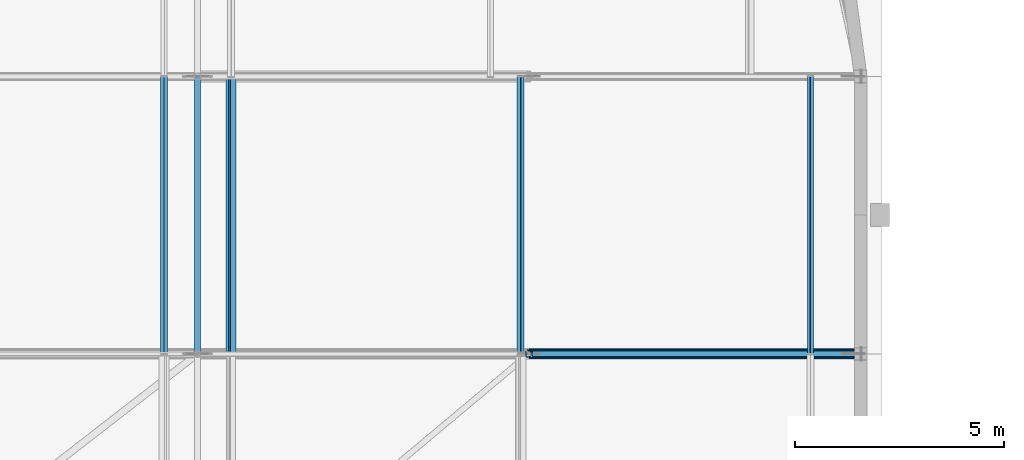
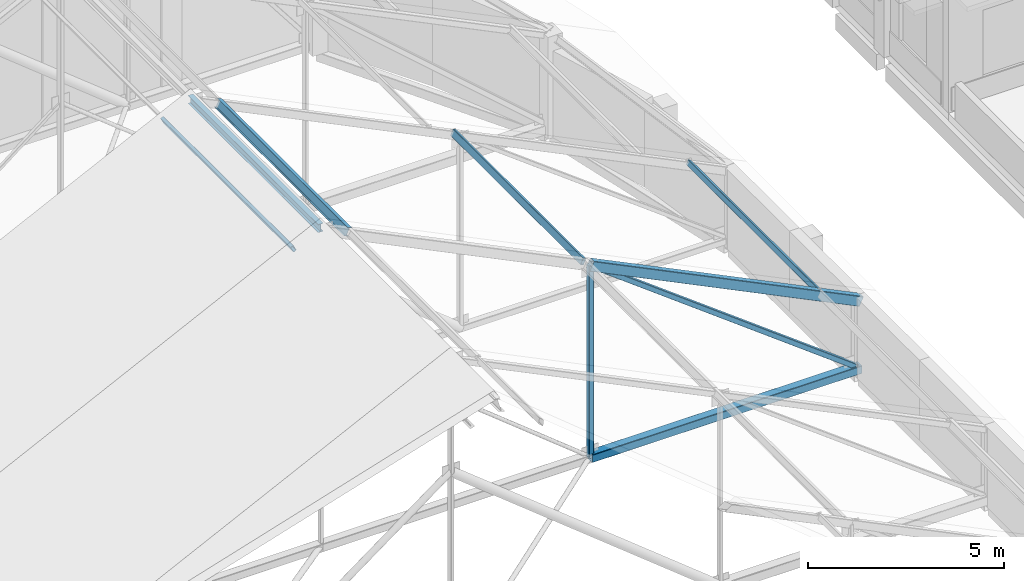
# One storey, part 19 of 78: 9 members.
"""IFC4 building model written with IfcOpenShell, lengths in metres."""

from ifc_helpers import new_model, si_unit, direction, frame, origin, origin_2d, place, context, subcontext, project, spatial, hollow_rectangle, i_section, extrude, material, material_profile, profile_set, type_object, element, save


model = new_model("IFC4")

# Units and contexts
model_context = context("Model", 3, precision=1e-05, world=origin(), true_north=direction((0.0, 1.0)))
body_context = subcontext(model_context, "Body", "Model", "MODEL_VIEW")
ifc_project = project(units=[si_unit("LENGTHUNIT", "METRE"), si_unit("AREAUNIT", "SQUARE_METRE"), si_unit("VOLUMEUNIT", "CUBIC_METRE"), si_unit("PLANEANGLEUNIT", "RADIAN"), si_unit("MASSUNIT", "GRAM", prefix="KILO")], contexts=[model_context])

# Site, building, storey
site_placement = place(None, origin())
site = spatial("IfcSite", under=ifc_project, at=site_placement, CompositionType="ELEMENT")
building_placement = place(site_placement, origin())
building = spatial("IfcBuilding", under=site, at=building_placement, Name="Kelanivale Promenade Academy", CompositionType="ELEMENT")
storey_placement = place(building_placement, frame((0.0, 0.0, 16.199951171875)))
storey = spatial("IfcBuildingStorey", under=building, at=storey_placement, Name="L04", CompositionType="ELEMENT", Elevation=16.199951171875)

# Members
ifc_material = material(Name="Steel S355", Category="steel")
ifc_material_profile_1 = material_profile(ifc_material, i_section(OverallWidth=0.14599609375, OverallDepth=0.25146484375, WebThickness=0.006103515625, FlangeThickness=0.008544921875, FilletRadius=0.007568359375, at=origin_2d()), Name="UB 254x146x31")
ifc_profile_set_1 = profile_set([ifc_material_profile_1], Name="Steel S355")
member_type_1 = type_object("IfcMemberType", Name="PR-02 UB 254x146x31", PredefinedType="PURLIN", material=ifc_profile_set_1)
for number, where, z_axis, x_axis, name in (
    (1, (19.60009765625, 59.513916015625, 10.087158203125), (0.0, 1.0, 0.0), (-1.0, 0.0, 0.0), "Sports Hall Crescent Pavilion roof tie purlin PR-02"),
    (2, (20.39990234375, 59.513916015625, 9.68603515625), (0.0, 1.0, 0.0), (-0.898564392509, 0.0, 0.438841694139), "Sports Hall Crescent Pavilion roof purlin PR-02"),
):
    element("IfcMember", number, at=place(storey_placement, frame(where, z_axis=z_axis, x_axis=x_axis)), inside=storey, type_object=member_type_1, Name=name, PredefinedType="PURLIN", context=body_context, shape_type="SweptSolid", body=[
        extrude(i_section(OverallWidth=0.14599609375, OverallDepth=0.25146484375, WebThickness=0.006103515625, FlangeThickness=0.008544921875, FilletRadius=0.007568359375, at=origin_2d()), origin(), (0.0, 0.0, 1.0), 6.629150390625),
    ])
ifc_material_profile_2 = material_profile(ifc_material, hollow_rectangle(XDim=0.10009765625, YDim=0.199951171875, WallThickness=0.008056640625, InnerFilletRadius=0.008056640625, OuterFilletRadius=0.01611328125, at=origin_2d()), Name="RHS 200x100x8.0")
ifc_profile_set_2 = profile_set([ifc_material_profile_2], Name="Steel S355")
member_type_2 = type_object("IfcMemberType", Name="PR-03 RHS 200x100x8.0", PredefinedType="PURLIN", material=ifc_profile_set_2)
for number, where, z_axis, x_axis, name in (
    (3, (18.800048828125, 59.513916015625, 9.715087890625), (0.0, 1.0, 0.0), (-0.898564392509, 0.0, -0.438841694139), "Sports Hall Crescent Pavilion roof purlin PR-03"),
    (4, (27.324951171875, 59.513916015625, 6.3330078125), (0.0, 1.0, 0.0), (-0.898564392509, 0.0, 0.438841694139), "Sports Hall Crescent Pavilion roof purlin PR-03"),
):
    element("IfcMember", number, at=place(storey_placement, frame(where, z_axis=z_axis, x_axis=x_axis)), inside=storey, type_object=member_type_2, Name=name, PredefinedType="PURLIN", context=body_context, shape_type="SweptSolid", body=[
        extrude(hollow_rectangle(XDim=0.10009765625, YDim=0.199951171875, WallThickness=0.008056640625, InnerFilletRadius=0.008056640625, OuterFilletRadius=0.01611328125, at=origin_2d()), origin(), (0.0, 0.0, 1.0), 6.629150390625),
    ])
ifc_material_profile_3 = material_profile(ifc_material, hollow_rectangle(XDim=0.10009765625, YDim=0.14990234375, WallThickness=0.008056640625, InnerFilletRadius=0.008056640625, OuterFilletRadius=0.01611328125, at=origin_2d()), Name="RHS 150x100x8.0")
ifc_profile_set_3 = profile_set([ifc_material_profile_3], Name="Steel S355")
member_type_3 = type_object("IfcMemberType", Name="PR-04 RHS 150x100x8.0", PredefinedType="PURLIN", material=ifc_profile_set_3)
member_1_placement = place(storey_placement, frame((34.25, 59.513916015625, 2.97900390625), z_axis=(0.0, 1.0, 0.0), x_axis=(-0.898564392509, 0.0, 0.438841694139)))
element("IfcMember", 5, at=member_1_placement, inside=storey, type_object=member_type_3, Name="Sports Hall Crescent Pavilion roof purlin PR-04", PredefinedType="PURLIN", context=body_context, shape_type="SweptSolid", body=[
    extrude(hollow_rectangle(XDim=0.10009765625, YDim=0.14990234375, WallThickness=0.008056640625, InnerFilletRadius=0.008056640625, OuterFilletRadius=0.01611328125, at=origin_2d()), origin(), (0.0, 0.0, 1.0), 6.629150390625),
])
ifc_material_profile_4 = material_profile(ifc_material, hollow_rectangle(XDim=0.25, YDim=0.25, WallThickness=0.012451171875, InnerFilletRadius=0.012451171875, OuterFilletRadius=0.02490234375, at=origin_2d()), Name="SHS 250x250x12.5")
ifc_profile_set_4 = profile_set([ifc_material_profile_4], Name="Steel S355")
member_type_4 = type_object("IfcMemberType", Name="TC-02 SHS 250x250x12.5", PredefinedType="CHORD", material=ifc_profile_set_4)
member_2_placement = place(storey_placement, frame((27.52490234375, 59.513916015625, 0.199951171875), z_axis=(1.0, 0.0, 0.0), x_axis=(0.0, 1.0, 0.0)))
element("IfcMember", 6, at=member_2_placement, inside=storey, type_object=member_type_4, Name="ROOF TRUSS SH-TR5 bottom chord 4", PredefinedType="CHORD", context=body_context, shape_type="SweptSolid", body=[
    extrude(hollow_rectangle(XDim=0.25, YDim=0.25, WallThickness=0.012451171875, InnerFilletRadius=0.012451171875, OuterFilletRadius=0.02490234375, at=origin_2d()), origin(), (0.0, 0.0, 1.0), 7.925048828125),
])
ifc_material_profile_5 = material_profile(ifc_material, hollow_rectangle(XDim=0.199951171875, YDim=0.300048828125, WallThickness=0.012451171875, InnerFilletRadius=0.012451171875, OuterFilletRadius=0.02490234375, at=origin_2d()), Name="RHS 300x200x12.5")
ifc_profile_set_5 = profile_set([ifc_material_profile_5], Name="Steel S355")
member_type_5 = type_object("IfcMemberType", Name="TC-05 RHS 300x200x12.5", PredefinedType="CHORD", material=ifc_profile_set_5)
member_3_placement = place(storey_placement, frame((27.52490234375, 59.513916015625, 6.172119140625), z_axis=(0.898535276105, 0.0, -0.438901307351), x_axis=(0.0, 1.0, 0.0)))
element("IfcMember", 7, at=member_3_placement, inside=storey, type_object=member_type_5, Name="ROOF TRUSS SH-TR5 top chord 4", PredefinedType="CHORD", context=body_context, shape_type="SweptSolid", body=[
    extrude(hollow_rectangle(XDim=0.199951171875, YDim=0.300048828125, WallThickness=0.012451171875, InnerFilletRadius=0.012451171875, OuterFilletRadius=0.02490234375, at=origin_2d()), origin(), (0.0, 0.0, 1.0), 8.820068359375),
])
ifc_material_profile_6 = material_profile(ifc_material, hollow_rectangle(XDim=0.14990234375, YDim=0.14990234375, WallThickness=0.010009765625, InnerFilletRadius=0.010009765625, OuterFilletRadius=0.02001953125, at=origin_2d()), Name="SHS 150x150x10.0")
ifc_profile_set_6 = profile_set([ifc_material_profile_6], Name="Steel S355")
member_type_6 = type_object("IfcMemberType", Name="TD-01 SHS 150x150x10.0", PredefinedType="BRACE", material=ifc_profile_set_6)
member_4_placement = place(storey_placement, frame((35.449951171875, 59.513916015625, 0.199951171875), z_axis=(-0.798625080722, 0.0, 0.601828863085), x_axis=(0.0, -1.0, 0.0)))
element("IfcMember", 8, at=member_4_placement, inside=storey, type_object=member_type_6, Name="ROOF TRUSS SH-TR5 web diagonal 4", PredefinedType="BRACE", context=body_context, shape_type="SweptSolid", body=[
    extrude(hollow_rectangle(XDim=0.14990234375, YDim=0.14990234375, WallThickness=0.010009765625, InnerFilletRadius=0.010009765625, OuterFilletRadius=0.02001953125, at=origin_2d()), origin(), (0.0, 0.0, 1.0), 9.92333984375),
])
ifc_material_profile_7 = material_profile(ifc_material, hollow_rectangle(XDim=0.14990234375, YDim=0.14990234375, WallThickness=0.010009765625, InnerFilletRadius=0.010009765625, OuterFilletRadius=0.02001953125, at=origin_2d()), Name="SHS 150x150x10.0")
ifc_profile_set_7 = profile_set([ifc_material_profile_7], Name="Steel S355")
member_type_7 = type_object("IfcMemberType", Name="TV-04 SHS 150x150x10.0", PredefinedType="STRUT", material=ifc_profile_set_7)
member_5_placement = place(storey_placement, frame((27.52490234375, 59.513916015625, 0.199951171875), z_axis=(0.0, 0.0, 1.0), x_axis=(1.0, 0.0, 0.0)))
element("IfcMember", 9, at=member_5_placement, inside=storey, type_object=member_type_7, Name="ROOF TRUSS SH-TR5 vertical strut 3", PredefinedType="STRUT", context=body_context, shape_type="SweptSolid", body=[
    extrude(hollow_rectangle(XDim=0.14990234375, YDim=0.14990234375, WallThickness=0.010009765625, InnerFilletRadius=0.010009765625, OuterFilletRadius=0.02001953125, at=origin_2d()), origin(), (0.0, 0.0, 1.0), 5.97216796875),
])

save(model, "model.ifc")
